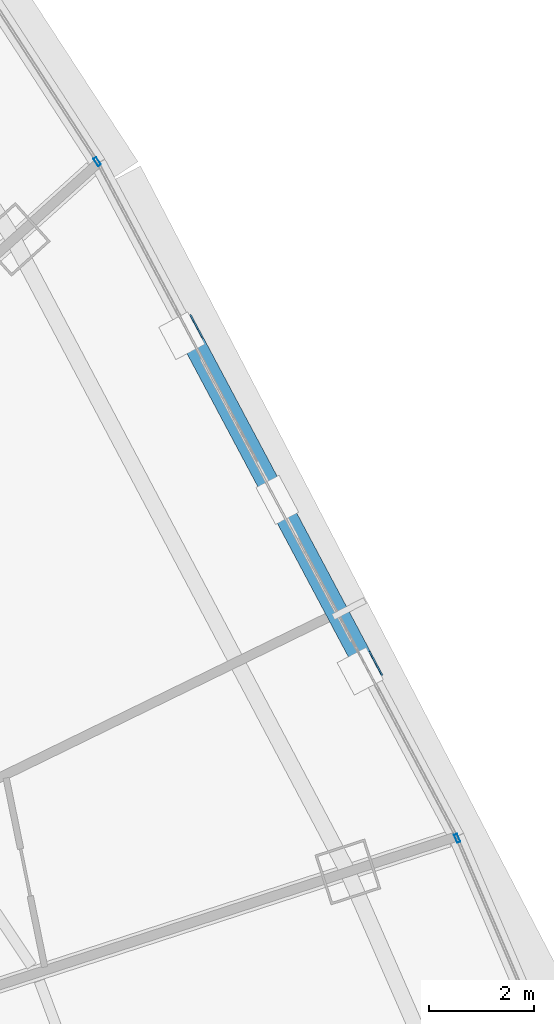
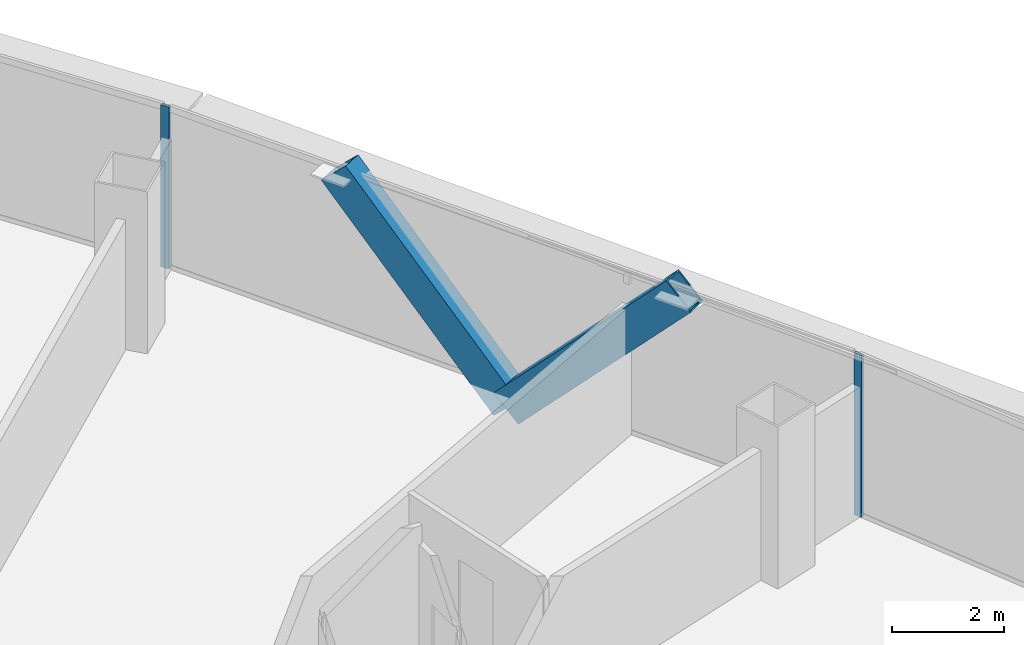
# One storey, part 24 of 37: 4 members, 2 elements without a shape of their own.
"""IFC4 building model written with IfcOpenShell, lengths in metres."""

from ifc_helpers import new_model, si_unit, direction, frame, origin, origin_2d, place, context, subcontext, project, spatial, hollow_rectangle, extrude, source, transform, mapped, material, layer, layer_set, material_profile, profile_set, type_object, element, aggregate, save


model = new_model("IFC4")

# Units and contexts
model_context = context("Model", 3, precision=1e-05, world=origin(), true_north=direction((0.0, 1.0)))
body_context = subcontext(model_context, "Body", "Model", "MODEL_VIEW")
ifc_project = project(units=[si_unit("LENGTHUNIT", "METRE"), si_unit("AREAUNIT", "SQUARE_METRE"), si_unit("VOLUMEUNIT", "CUBIC_METRE"), si_unit("PLANEANGLEUNIT", "RADIAN"), si_unit("MASSUNIT", "GRAM", prefix="KILO"), si_unit("THERMODYNAMICTEMPERATUREUNIT", "KELVIN"), si_unit("POWERUNIT", "WATT")], contexts=[model_context])

# Site, building, storey
site_placement = place(None, origin())
site = spatial("IfcSite", under=ifc_project, at=site_placement, CompositionType="ELEMENT")
building_placement = place(site_placement, origin())
building = spatial("IfcBuilding", under=site, at=building_placement, Name="Yunzhuo Pagoda Commons", CompositionType="ELEMENT")
storey_placement = place(building_placement, frame((0.0, 0.0, 88.780029296875)))
storey = spatial("IfcBuildingStorey", under=building, at=storey_placement, Name="L22", CompositionType="ELEMENT", Elevation=88.780029296875)

# Members
ifc_material_1 = material(Name="Structural steel Q420B", Category="steel")
ifc_material_profile_1 = material_profile(ifc_material_1, hollow_rectangle(XDim=0.419921875, YDim=0.719970703125, WallThickness=0.028076171875, at=origin_2d()), Name="Structural steel Q420B")
ifc_profile_set_1 = profile_set([ifc_material_profile_1], Name="Structural steel Q420B")
member_type_1 = type_object("IfcMemberType", Name="M-DL1 Brace BOX 720x420x28", PredefinedType="BRACE", material=ifc_profile_set_1)
shared_shape_1 = source(origin(), body_context, "Body", "SweptSolid", [
    extrude(hollow_rectangle(XDim=0.419921875, YDim=0.719970703125, WallThickness=0.028076171875, at=origin_2d()), origin(), (0.0, 0.0, 1.0), 5.26416015625),
])
for number, where, z_axis, x_axis, name in (
    (1, (77.642578125, 50.8759765625, -0.259765625), (0.325104572873, -0.610973986166, 0.72181563084), (0.882801443113, 0.469746327328, 0.0), "L22 facade diamond brace F2.2L"),
    (2, (77.642578125, 50.8759765625, -0.259765625), (-0.325104572873, 0.610973986166, 0.72181563084), (-0.882801443113, -0.469746327328, 0.0), "L22 facade diamond brace F2.2R"),
):
    element("IfcMember", number, at=place(storey_placement, frame(where, z_axis=z_axis, x_axis=x_axis)), inside=storey, type_object=member_type_1, Name=name, PredefinedType="BRACE", context=body_context, shape_type="MappedRepresentation", body=[
        mapped(shared_shape_1, transform((0.0, 0.0, 0.0), scale=1.0)),
    ])

# Curtain wall, member
ifc_material_2 = material(Name="Anodized aluminium 6063-T6", Category="aluminium")
ifc_layer = layer(ifc_material_2, 0.1650390625)
ifc_layer_set = layer_set([ifc_layer], Name="Anodized aluminium 6063-T6")
curtain_wall_type = type_object("IfcCurtainWallType", Name="CW-LOW Low-Zone Ribbon Curtain Wall", PredefinedType="NOTDEFINED", material=ifc_layer_set)
curtain_wall_1_placement = place(storey_placement, origin())
curtain_wall_1 = element("IfcCurtainWall", 3, at=curtain_wall_1_placement, inside=storey, type_object=curtain_wall_type, Name="L22 curtain wall CW-L22-F2B2", PredefinedType="NOTDEFINED")
ifc_material_profile_2 = material_profile(ifc_material_2, hollow_rectangle(XDim=0.06494140625, YDim=0.1650390625, WallThickness=0.00390625, at=origin_2d()), Name="Anodized aluminium 6063-T6")
ifc_profile_set_2 = profile_set([ifc_material_profile_2], Name="Anodized aluminium 6063-T6")
member_type_2 = type_object("IfcMemberType", Name="CW-LOW-M Mullion RHS 165x65x4", PredefinedType="MULLION", material=ifc_profile_set_2)
shared_shape_2 = source(origin(), body_context, "Body", "SweptSolid", [
    extrude(hollow_rectangle(XDim=0.06494140625, YDim=0.1650390625, WallThickness=0.00390625, at=origin_2d()), origin(), (0.0, 0.0, 1.0), 3.5400390625),
])
member_1_placement = place(storey_placement, frame((81.077880859375, 44.41357421875, 0.0), z_axis=(0.0, 0.0, 1.0), x_axis=(-0.919250024103, -0.39367422215, 0.0)))
member_1 = element("IfcMember", 4, at=member_1_placement, type_object=member_type_2, Name="CW mullion 2", PredefinedType="MULLION", context=body_context, shape_type="MappedRepresentation", body=[
    mapped(shared_shape_2, transform((0.0, 0.0, 0.0), scale=1.0)),
])
aggregate(curtain_wall_1, [member_1])

curtain_wall_2_placement = place(storey_placement, origin())
curtain_wall_2 = element("IfcCurtainWall", 5, at=curtain_wall_2_placement, inside=storey, type_object=curtain_wall_type, Name="L22 curtain wall CW-L22-F2B4", PredefinedType="NOTDEFINED")
member_2_placement = place(storey_placement, frame((74.2021484375, 57.335693359375, 0.0), z_axis=(0.0, 0.0, 1.0), x_axis=(-0.838906636672, -0.544275348466, 0.0)))
member_2 = element("IfcMember", 6, at=member_2_placement, type_object=member_type_2, Name="CW mullion 1", PredefinedType="MULLION", context=body_context, shape_type="MappedRepresentation", body=[
    mapped(shared_shape_2, transform((0.0, 0.0, 0.0), scale=1.0)),
])
aggregate(curtain_wall_2, [member_2])

save(model, "model.ifc")
